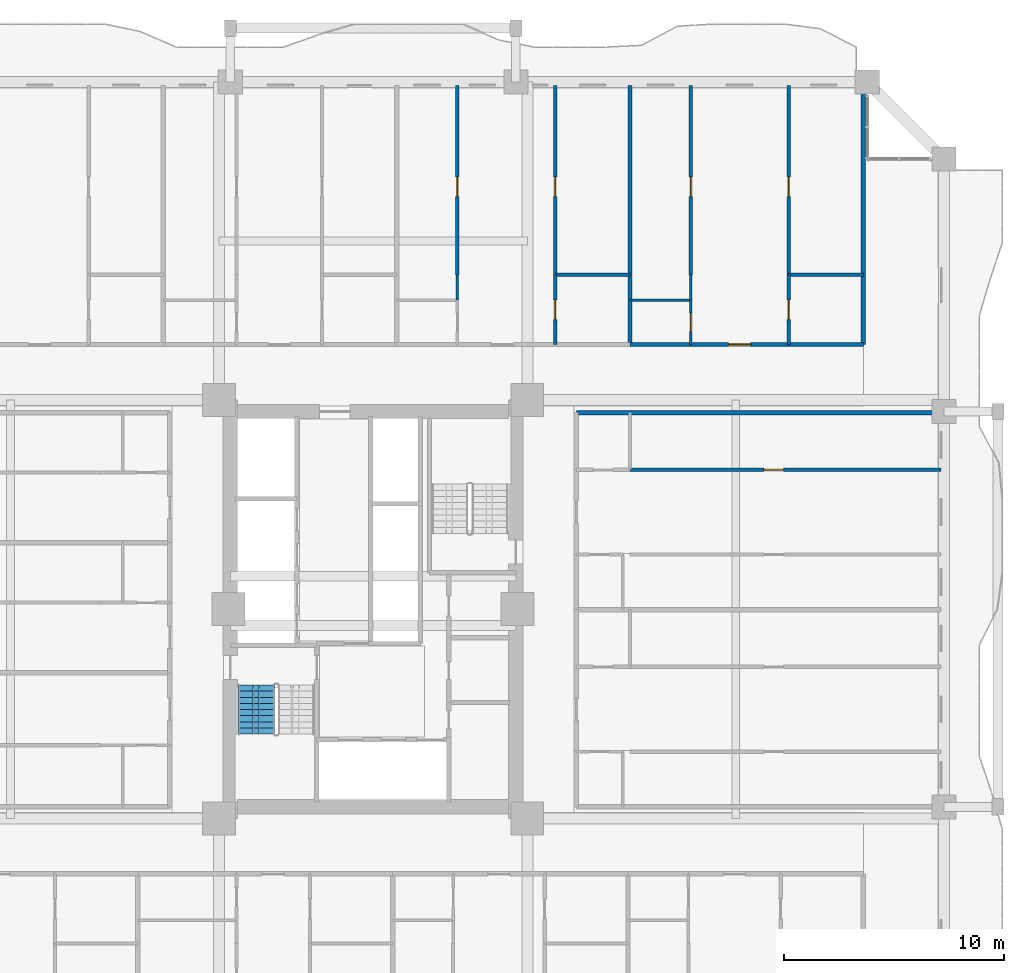
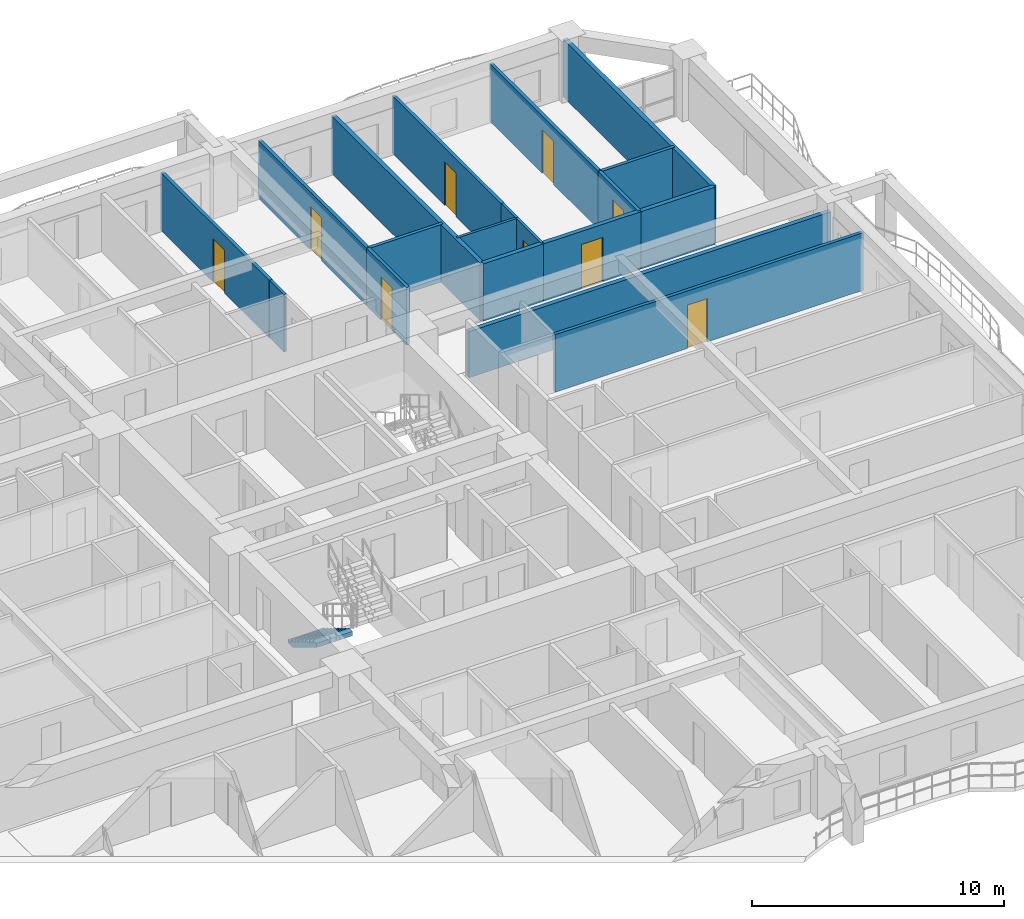
# One storey, part 20 of 27: 19 walls, 9 doors, 1 stair flight, 9 openings, 1 element without a shape of its own.
"""IFC4 building model written with IfcOpenShell, lengths in metres."""

import ifcopenshell
import ifcopenshell.guid

model = None  # the IFC model being written
_history = None  # IfcOwnerHistory: only IFC2X3 demands one
_inside = {}  # id of a spatial element -> (the spatial element, [elements in it])
_under = {}  # id of a project, library or spatial element -> (it, [spatial elements below it])
_declared = {}  # id of a project -> (the project, [libraries it declares])
_typed = {}  # id of a type object -> (the type object, [elements of that type])
_made_of = {}  # id of a material, layer set ... -> (it, [elements and type objects made of it])


def new_model(schema):
    """Start an empty IFC model of exactly this schema.

    Asked for "IFC4X3", IfcOpenShell would pick the latest addendum, in which some entities
    have other attributes; the version numbers below select the first issue.
    IFC2X3 requires an IfcOwnerHistory on every rooted entity: one is made here for all.
    """
    global model, _history
    if schema == "IFC4X3":
        model = ifcopenshell.file(schema_version=(4, 3, 0, 0))
    else:
        model = ifcopenshell.file(schema=schema)
    _inside.clear()
    _under.clear()
    _declared.clear()
    _typed.clear()
    _made_of.clear()
    _history = None
    if model.schema == "IFC2X3":
        org = make("IfcOrganization", Name="unknown")
        user = make(
            "IfcPersonAndOrganization",
            ThePerson=make("IfcPerson", FamilyName="unknown"),
            TheOrganization=org,
        )
        app = make(
            "IfcApplication",
            ApplicationDeveloper=org,
            Version="unknown",
            ApplicationFullName="unknown",
            ApplicationIdentifier="unknown",
        )
        _history = make(
            "IfcOwnerHistory",
            OwningUser=user,
            OwningApplication=app,
            ChangeAction="ADDED",
            CreationDate=0,
        )
    return model


def make(cls, **values):
    """One entity of the class cls with the attributes given. An attribute that is None is left unset."""
    return model.create_entity(
        cls, **{name: value for name, value in values.items() if value is not None}
    )


def rooted(cls, **values):
    """An entity with a GlobalId (a new one), such as an element, a storey or a relation."""
    return make(cls, GlobalId=ifcopenshell.guid.new(), OwnerHistory=_history, **values)


def si_unit(unit_type, name, prefix=None):
    """IfcSIUnit, for example si_unit("LENGTHUNIT", "METRE", prefix="MILLI")."""
    return make("IfcSIUnit", UnitType=unit_type, Prefix=prefix, Name=name)


def assignment(units):
    """IfcUnitAssignment: the units of a project."""
    return None if units is None else make("IfcUnitAssignment", Units=units)


def point(xyz):
    """IfcCartesianPoint."""
    return None if xyz is None else make("IfcCartesianPoint", Coordinates=xyz)


def direction(xyz):
    """IfcDirection."""
    return None if xyz is None else make("IfcDirection", DirectionRatios=xyz)


def frame(location, z_axis=None, x_axis=None):
    """IfcAxis2Placement3D, a coordinate frame: its origin and axes. An axis left out is left unset."""
    return make(
        "IfcAxis2Placement3D",
        Location=point(location),
        Axis=direction(z_axis),
        RefDirection=direction(x_axis),
    )


def frame_2d(location, x_axis=None):
    """IfcAxis2Placement2D, a coordinate frame in the plane: its origin and x axis."""
    return make(
        "IfcAxis2Placement2D", Location=point(location), RefDirection=direction(x_axis)
    )


def origin():
    """The frame at (0, 0, 0) with its axes left unset."""
    return frame((0.0, 0.0, 0.0))


def place(relative_to, where):
    """IfcLocalPlacement: puts the frame where relative to a parent placement (None: the world)."""
    return make(
        "IfcLocalPlacement", PlacementRelTo=relative_to, RelativePlacement=where
    )


def context(
    kind, dimensions, precision=None, world=None, true_north=None, identifier=None
):
    """IfcGeometricRepresentationContext, for example the 3D "Model" context."""
    return make(
        "IfcGeometricRepresentationContext",
        ContextIdentifier=identifier,
        ContextType=kind,
        CoordinateSpaceDimension=dimensions,
        Precision=precision,
        WorldCoordinateSystem=world,
        TrueNorth=true_north,
    )


def subcontext(parent, identifier, kind, view, scale=None):
    """IfcGeometricRepresentationSubContext, for example "Body" below "Model"."""
    return make(
        "IfcGeometricRepresentationSubContext",
        ContextIdentifier=identifier,
        ContextType=kind,
        ParentContext=parent,
        TargetScale=scale,
        TargetView=view,
    )


def project(units=None, contexts=None):
    """IfcProject with its units and contexts."""
    return rooted(
        "IfcProject",
        Name="project",
        RepresentationContexts=contexts,
        UnitsInContext=assignment(units),
    )


def spatial(cls, under=None, at=None, **own):
    """A site, building, storey or space (cls), placed at a placement, below another one or the project."""
    s = rooted(cls, ObjectPlacement=at, **own)
    if under is not None:
        _under.setdefault(under.id(), (under, []))[1].append(s)
    return s


def polyline(points):
    """IfcPolyline through the points."""
    return make("IfcPolyline", Points=[point(p) for p in points])


def profile(cls, at=None, kind="AREA", **sizes):
    """A parametric profile (cls). Its sizes go by their IFC names, for example OverallWidth=200.0."""
    return make(cls, ProfileType=kind, Position=at, **sizes)


def rectangle(**sizes):
    """IfcRectangleProfileDef."""
    return profile("IfcRectangleProfileDef", **sizes)


def outline(outer, holes=None, kind="AREA"):
    """IfcArbitraryClosedProfileDef: a profile drawn as a closed curve; with holes, ...WithVoids."""
    if holes is None:
        return make("IfcArbitraryClosedProfileDef", ProfileType=kind, OuterCurve=outer)
    return make(
        "IfcArbitraryProfileDefWithVoids",
        ProfileType=kind,
        OuterCurve=outer,
        InnerCurves=holes,
    )


def extrude(swept, where, along, depth):
    """IfcExtrudedAreaSolid: the profile swept, set in the frame where, extruded along a direction by depth."""
    return make(
        "IfcExtrudedAreaSolid",
        SweptArea=swept,
        Position=where,
        ExtrudedDirection=direction(along),
        Depth=depth,
    )


def shape(context_of_items, identifier, shape_type, items):
    """IfcShapeRepresentation: the items that make up one representation, for example the "Body"."""
    return make(
        "IfcShapeRepresentation",
        ContextOfItems=context_of_items,
        RepresentationIdentifier=identifier,
        RepresentationType=shape_type,
        Items=items,
    )


def source(mapping_origin, context_of_items, identifier, shape_type, items):
    """IfcRepresentationMap: a shape defined once, which mapped items show again and again."""
    return make(
        "IfcRepresentationMap",
        MappingOrigin=mapping_origin,
        MappedRepresentation=shape(context_of_items, identifier, shape_type, items),
    )


def transform(
    local_origin,
    x_axis=None,
    y_axis=None,
    z_axis=None,
    scale=None,
    scale2=None,
    scale3=None,
    uniform=True,
):
    """IfcCartesianTransformationOperator3D, or its non-uniform kind. x_axis, y_axis, z_axis: its Axis1, 2, 3."""
    if uniform:
        return make(
            "IfcCartesianTransformationOperator3D",
            Axis1=direction(x_axis),
            Axis2=direction(y_axis),
            LocalOrigin=point(local_origin),
            Scale=scale,
            Axis3=direction(z_axis),
        )
    return make(
        "IfcCartesianTransformationOperator3DnonUniform",
        Axis1=direction(x_axis),
        Axis2=direction(y_axis),
        LocalOrigin=point(local_origin),
        Scale=scale,
        Axis3=direction(z_axis),
        Scale2=scale2,
        Scale3=scale3,
    )


def mapped(mapping_source, mapping_target):
    """IfcMappedItem: shows the shape of a source again, moved by a transform."""
    return make(
        "IfcMappedItem", MappingSource=mapping_source, MappingTarget=mapping_target
    )


def material(Name=None, Category=None):
    """IfcMaterial."""
    return make("IfcMaterial", Name=Name, Category=Category)


def layer(
    of_material, thickness, ventilated=None, Name=None, Category=None, Priority=None
):
    """IfcMaterialLayer: one layer of a wall or slab, of a material (None: an air gap)."""
    return make(
        "IfcMaterialLayer",
        Material=of_material,
        LayerThickness=thickness,
        IsVentilated=ventilated,
        Name=Name,
        Category=Category,
        Priority=Priority,
    )


def layer_set(layers, Name=None):
    """IfcMaterialLayerSet."""
    return make("IfcMaterialLayerSet", MaterialLayers=layers, LayerSetName=Name)


def made_of(thing, what):
    """Note that an element or type object is made of a material, layer set ...; save() writes the relation."""
    if what is not None:
        _made_of.setdefault(what.id(), (what, []))[1].append(thing)
    return thing


def type_object(cls, material=None, **own):
    """A type object (cls), such as IfcWallType, which elements share."""
    return made_of(rooted(cls, **own), material)


def element(
    cls,
    number,
    at=None,
    inside=None,
    cuts=None,
    type_object=None,
    material=None,
    context=None,
    identifier="Body",
    shape_type=None,
    held_by="IfcProductDefinitionShape",
    body=None,
    shapes=None,
    **own,
):
    """One element of the class cls, such as IfcWall. Its Tag is "e" and its number.

    at: its placement. inside: the storey or other place that contains it. cuts: it is an
    opening in that element (IfcRelVoidsElement). A single representation is given by context,
    identifier, shape_type and body (its items); several are given by shapes. held_by: the class
    of the entity that holds the representations. save() writes the other relations.
    """
    e = rooted(cls, Tag="e%d" % number, ObjectPlacement=at, **own)
    if body is not None:
        shapes = [shape(context, identifier, shape_type, body)]
    if shapes is not None:
        e.Representation = make(held_by, Representations=shapes)
    if inside is not None:
        _inside.setdefault(inside.id(), (inside, []))[1].append(e)
    if cuts is not None:
        rooted(
            "IfcRelVoidsElement", RelatingBuildingElement=cuts, RelatedOpeningElement=e
        )
    if type_object is not None:
        _typed.setdefault(type_object.id(), (type_object, []))[1].append(e)
    return made_of(e, material)


def fill(opening, filler):
    """IfcRelFillsElement: the door or window that sits in an opening."""
    return rooted(
        "IfcRelFillsElement",
        RelatingOpeningElement=opening,
        RelatedBuildingElement=filler,
    )


def aggregate(whole, parts):
    """IfcRelAggregates: a whole, such as a stair, and the parts it consists of."""
    return rooted("IfcRelAggregates", RelatingObject=whole, RelatedObjects=parts)


def save(model, path):
    """Write the relations noted so far, then the file.

    IfcRelAggregates (storeys below a building ...), IfcRelContainedInSpatialStructure (elements
    in a storey), IfcRelDefinesByType, IfcRelAssociatesMaterial and IfcRelDeclares: one each for
    every whole, place, type object, material and project.
    """
    for whole, parts in _under.values():
        aggregate(whole, parts)
    for where, things in _inside.values():
        rooted(
            "IfcRelContainedInSpatialStructure",
            RelatedElements=things,
            RelatingStructure=where,
        )
    for kind, things in _typed.values():
        rooted("IfcRelDefinesByType", RelatedObjects=things, RelatingType=kind)
    for what, things in _made_of.values():
        rooted("IfcRelAssociatesMaterial", RelatedObjects=things, RelatingMaterial=what)
    for by, libraries in _declared.values():
        rooted("IfcRelDeclares", RelatingContext=by, RelatedDefinitions=libraries)
    model.write(path)


model = new_model("IFC4")

# Units and contexts
model_context = context("Model", 3, precision=1e-05, world=origin(), true_north=direction((0.0, 1.0)))
body_context = subcontext(model_context, "Body", "Model", "MODEL_VIEW")
ifc_project = project(units=[si_unit("LENGTHUNIT", "METRE"), si_unit("AREAUNIT", "SQUARE_METRE"), si_unit("VOLUMEUNIT", "CUBIC_METRE"), si_unit("PLANEANGLEUNIT", "RADIAN"), si_unit("MASSUNIT", "GRAM", prefix="KILO")], contexts=[model_context])

# Site, building, storey
site_placement = place(None, origin())
site = spatial("IfcSite", under=ifc_project, at=site_placement, CompositionType="ELEMENT")
building_placement = place(site_placement, origin())
building = spatial("IfcBuilding", under=site, at=building_placement, Name="Saelheon Loggia Tower", CompositionType="ELEMENT")
storey_placement = place(building_placement, frame((0.0, 0.0, 34.39990234375)))
storey = spatial("IfcBuildingStorey", under=building, at=storey_placement, Name="L10", CompositionType="ELEMENT", Elevation=34.39990234375)

# Wall
ifc_material_1 = material(Name="Lightweight Autoclaved Aerated Concrete Block and Acoustic Gypsum", Category="concrete")
ifc_layer_1 = layer(ifc_material_1, 0.14990234375)
ifc_layer_set_1 = layer_set([ifc_layer_1], Name="Lightweight Autoclaved Aerated Concrete Block and Acoustic Gypsum")
wall_type_1 = type_object("IfcWallType", Name="Wall_Part_150", PredefinedType="PARTITIONING", material=ifc_layer_set_1)
wall_1_placement = place(storey_placement, frame((46.29833984375, 42.219970703125, 0.0), z_axis=(0.0, 0.0, 1.0), x_axis=(1.0, 0.0, 0.0)))
element("IfcWall", 1, at=wall_1_placement, inside=storey, type_object=wall_type_1, Name="L10 N Partition V31", PredefinedType="PARTITIONING", context=body_context, shape_type="SweptSolid", body=[
    extrude(rectangle(XDim=3.399169921875, YDim=0.14990234375, at=frame_2d((1.69970703125, 0.0))), origin(), (0.0, 0.0, 1.0), 2.7900390625),
])

# Wall, opening, door
wall_2_placement = place(storey_placement, frame((41.8369140625, 42.219970703125, 0.0), z_axis=(0.0, 0.0, 1.0), x_axis=(0.0, 1.0, 0.0)))
wall_2 = element("IfcWall", 2, at=wall_2_placement, inside=storey, type_object=wall_type_1, Name="L10 N Partition U34", PredefinedType="PARTITIONING", context=body_context, shape_type="SweptSolid", body=[
    extrude(rectangle(XDim=8.630126953125, YDim=0.14990234375, at=frame_2d((4.31494140625, 0.0))), origin(), (0.0, 0.0, 1.0), 2.7900390625),
])
opening_1_placement = place(wall_2_placement, frame((3.56298828125, 0.0, 0.0)))
opening_1 = element("IfcOpeningElement", 3, at=opening_1_placement, cuts=wall_2, Name="Opening D-IN2", PredefinedType="OPENING", context=body_context, shape_type="SweptSolid", body=[
    extrude(rectangle(XDim=0.89990234375, YDim=2.10009765625, at=frame_2d((0.449951171875, 1.050048828125))), frame((0.0, 0.0869140625, 0.0), z_axis=(0.0, -1.0, 0.0), x_axis=(1.0, 0.0, 0.0)), (0.0, 0.0, 1.0), 0.173828125),
])
ifc_material_2 = material(Name="Engineered Oak Flush Door", Category="timber")
door_type_1 = type_object("IfcDoorType", Name="Door_Int_900", OperationType="NOTDEFINED", PredefinedType="DOOR", material=ifc_material_2)
shared_shape_1 = source(origin(), body_context, "Body", "SweptSolid", [
    extrude(rectangle(XDim=0.89990234375, YDim=2.10009765625, at=frame_2d((0.449951171875, 1.050048828125))), frame((0.0, 0.02490234375, 0.0), z_axis=(0.0, -1.0, 0.0), x_axis=(1.0, 0.0, 0.0)), (0.0, 0.0, 1.0), 0.050048828125),
])
door_1_placement = place(opening_1_placement, origin())
door_1 = element("IfcDoor", 4, at=door_1_placement, inside=storey, type_object=door_type_1, Name="Unit U07 Bedroom 2 Door", OperationType="SINGLE_SWING_LEFT", OverallHeight=2.10009765625, OverallWidth=0.89990234375, PredefinedType="DOOR", context=body_context, shape_type="MappedRepresentation", body=[
    mapped(shared_shape_1, transform((0.0, 0.0, 0.0), scale=1.0)),
])
fill(opening_1, door_1)

wall_3_placement = place(storey_placement, frame((46.29833984375, 39.050048828125, 0.0), z_axis=(0.0, 0.0, 1.0), x_axis=(0.0, 1.0, 0.0)))
wall_3 = element("IfcWall", 5, at=wall_3_placement, inside=storey, type_object=wall_type_1, Name="L10 N Partition U35", PredefinedType="PARTITIONING", context=body_context, shape_type="SweptSolid", body=[
    extrude(rectangle(XDim=3.169921875, YDim=0.14990234375, at=frame_2d((1.5849609375, 0.0))), origin(), (0.0, 0.0, 1.0), 2.7900390625),
])
opening_2_placement = place(wall_3_placement, frame((1.135009765625, 0.0, 0.0)))
opening_2 = element("IfcOpeningElement", 6, at=opening_2_placement, cuts=wall_3, Name="Opening D-IN2", PredefinedType="OPENING", context=body_context, shape_type="SweptSolid", body=[
    extrude(rectangle(XDim=0.89990234375, YDim=2.10009765625, at=frame_2d((0.449951171875, 1.050048828125))), frame((0.0, 0.0869140625, 0.0), z_axis=(0.0, -1.0, 0.0), x_axis=(1.0, 0.0, 0.0)), (0.0, 0.0, 1.0), 0.173828125),
])
door_2_placement = place(opening_2_placement, origin())
door_2 = element("IfcDoor", 7, at=door_2_placement, inside=storey, type_object=door_type_1, Name="Unit U07 Kitchen Door", OperationType="SINGLE_SWING_RIGHT", OverallHeight=2.10009765625, OverallWidth=0.89990234375, PredefinedType="DOOR", context=body_context, shape_type="MappedRepresentation", body=[
    mapped(shared_shape_1, transform((0.0, 0.0, 0.0), scale=1.0)),
])
fill(opening_2, door_2)

wall_4_placement = place(storey_placement, frame((46.29833984375, 42.219970703125, 0.0), z_axis=(0.0, 0.0, 1.0), x_axis=(0.0, 1.0, 0.0)))
wall_4 = element("IfcWall", 8, at=wall_4_placement, inside=storey, type_object=wall_type_1, Name="L10 N Partition U36", PredefinedType="PARTITIONING", context=body_context, shape_type="SweptSolid", body=[
    extrude(rectangle(XDim=8.630126953125, YDim=0.14990234375, at=frame_2d((4.31494140625, 0.0))), origin(), (0.0, 0.0, 1.0), 2.7900390625),
])
opening_3_placement = place(wall_4_placement, frame((3.56298828125, 0.0, 0.0)))
opening_3 = element("IfcOpeningElement", 9, at=opening_3_placement, cuts=wall_4, Name="Opening D-IN2", PredefinedType="OPENING", context=body_context, shape_type="SweptSolid", body=[
    extrude(rectangle(XDim=0.89990234375, YDim=2.10009765625, at=frame_2d((0.449951171875, 1.050048828125))), frame((0.0, 0.0869140625, 0.0), z_axis=(0.0, -1.0, 0.0), x_axis=(1.0, 0.0, 0.0)), (0.0, 0.0, 1.0), 0.173828125),
])
door_3_placement = place(opening_3_placement, origin())
door_3 = element("IfcDoor", 10, at=door_3_placement, inside=storey, type_object=door_type_1, Name="Unit U07 Bedroom 1 Door", OperationType="SINGLE_SWING_LEFT", OverallHeight=2.10009765625, OverallWidth=0.89990234375, PredefinedType="DOOR", context=body_context, shape_type="MappedRepresentation", body=[
    mapped(shared_shape_1, transform((0.0, 0.0, 0.0), scale=1.0)),
])
fill(opening_3, door_3)

# Wall
wall_5_placement = place(storey_placement, frame((56.9208984375, 42.219970703125, 0.0), z_axis=(0.0, 0.0, 1.0), x_axis=(1.0, 0.0, 0.0)))
element("IfcWall", 11, at=wall_5_placement, inside=storey, type_object=wall_type_1, Name="L10 N Partition V42", PredefinedType="PARTITIONING", context=body_context, shape_type="SweptSolid", body=[
    extrude(rectangle(XDim=3.399169921875, YDim=0.14990234375, at=frame_2d((1.69970703125, 0.0))), origin(), (0.0, 0.0, 1.0), 2.7900390625),
])

# Wall, opening, door
wall_6_placement = place(storey_placement, frame((52.45947265625, 42.219970703125, 0.0), z_axis=(0.0, 0.0, 1.0), x_axis=(0.0, 1.0, 0.0)))
wall_6 = element("IfcWall", 12, at=wall_6_placement, inside=storey, type_object=wall_type_1, Name="L10 N Partition U45", PredefinedType="PARTITIONING", context=body_context, shape_type="SweptSolid", body=[
    extrude(rectangle(XDim=8.630126953125, YDim=0.14990234375, at=frame_2d((4.31494140625, 0.0))), origin(), (0.0, 0.0, 1.0), 2.7900390625),
])
opening_4_placement = place(wall_6_placement, frame((3.56298828125, 0.0, 0.0)))
opening_4 = element("IfcOpeningElement", 13, at=opening_4_placement, cuts=wall_6, Name="Opening D-IN2", PredefinedType="OPENING", context=body_context, shape_type="SweptSolid", body=[
    extrude(rectangle(XDim=0.89990234375, YDim=2.10009765625, at=frame_2d((0.449951171875, 1.050048828125))), frame((0.0, 0.0869140625, 0.0), z_axis=(0.0, -1.0, 0.0), x_axis=(1.0, 0.0, 0.0)), (0.0, 0.0, 1.0), 0.173828125),
])
door_4_placement = place(opening_4_placement, origin())
door_4 = element("IfcDoor", 14, at=door_4_placement, inside=storey, type_object=door_type_1, Name="Unit U08 Bedroom 2 Door", OperationType="SINGLE_SWING_RIGHT", OverallHeight=2.10009765625, OverallWidth=0.89990234375, PredefinedType="DOOR", context=body_context, shape_type="MappedRepresentation", body=[
    mapped(shared_shape_1, transform((0.0, 0.0, 0.0), scale=1.0)),
])
fill(opening_4, door_4)

wall_7_placement = place(storey_placement, frame((56.9208984375, 39.050048828125, 0.0), z_axis=(0.0, 0.0, 1.0), x_axis=(0.0, 1.0, 0.0)))
wall_7 = element("IfcWall", 15, at=wall_7_placement, inside=storey, type_object=wall_type_1, Name="L10 N Partition U46", PredefinedType="PARTITIONING", context=body_context, shape_type="SweptSolid", body=[
    extrude(rectangle(XDim=3.169921875, YDim=0.14990234375, at=frame_2d((1.5849609375, 0.0))), origin(), (0.0, 0.0, 1.0), 2.7900390625),
])
opening_5_placement = place(wall_7_placement, frame((1.135009765625, 0.0, 0.0)))
opening_5 = element("IfcOpeningElement", 16, at=opening_5_placement, cuts=wall_7, Name="Opening D-IN2", PredefinedType="OPENING", context=body_context, shape_type="SweptSolid", body=[
    extrude(rectangle(XDim=0.89990234375, YDim=2.10009765625, at=frame_2d((0.449951171875, 1.050048828125))), frame((0.0, 0.0869140625, 0.0), z_axis=(0.0, -1.0, 0.0), x_axis=(1.0, 0.0, 0.0)), (0.0, 0.0, 1.0), 0.173828125),
])
door_5_placement = place(opening_5_placement, origin())
door_5 = element("IfcDoor", 17, at=door_5_placement, inside=storey, type_object=door_type_1, Name="Unit U08 Kitchen Door", OperationType="SINGLE_SWING_LEFT", OverallHeight=2.10009765625, OverallWidth=0.89990234375, PredefinedType="DOOR", context=body_context, shape_type="MappedRepresentation", body=[
    mapped(shared_shape_1, transform((0.0, 0.0, 0.0), scale=1.0)),
])
fill(opening_5, door_5)

wall_8_placement = place(storey_placement, frame((56.9208984375, 42.219970703125, 0.0), z_axis=(0.0, 0.0, 1.0), x_axis=(0.0, 1.0, 0.0)))
wall_8 = element("IfcWall", 18, at=wall_8_placement, inside=storey, type_object=wall_type_1, Name="L10 N Partition U47", PredefinedType="PARTITIONING", context=body_context, shape_type="SweptSolid", body=[
    extrude(rectangle(XDim=8.630126953125, YDim=0.14990234375, at=frame_2d((4.31494140625, 0.0))), origin(), (0.0, 0.0, 1.0), 2.7900390625),
])
opening_6_placement = place(wall_8_placement, frame((3.56298828125, 0.0, 0.0)))
opening_6 = element("IfcOpeningElement", 19, at=opening_6_placement, cuts=wall_8, Name="Opening D-IN2", PredefinedType="OPENING", context=body_context, shape_type="SweptSolid", body=[
    extrude(rectangle(XDim=0.89990234375, YDim=2.10009765625, at=frame_2d((0.449951171875, 1.050048828125))), frame((0.0, 0.0869140625, 0.0), z_axis=(0.0, -1.0, 0.0), x_axis=(1.0, 0.0, 0.0)), (0.0, 0.0, 1.0), 0.173828125),
])
door_6_placement = place(opening_6_placement, origin())
door_6 = element("IfcDoor", 20, at=door_6_placement, inside=storey, type_object=door_type_1, Name="Unit U08 Bedroom 1 Door", OperationType="SINGLE_SWING_RIGHT", OverallHeight=2.10009765625, OverallWidth=0.89990234375, PredefinedType="DOOR", context=body_context, shape_type="MappedRepresentation", body=[
    mapped(shared_shape_1, transform((0.0, 0.0, 0.0), scale=1.0)),
])
fill(opening_6, door_6)

wall_9_placement = place(storey_placement, frame((49.699951171875, 33.35009765625, 0.0), z_axis=(0.0, 0.0, 1.0), x_axis=(1.0, 0.0, 0.0)))
wall_9 = element("IfcWall", 21, at=wall_9_placement, inside=storey, type_object=wall_type_1, Name="L10 E Partition U21", PredefinedType="PARTITIONING", context=body_context, shape_type="SweptSolid", body=[
    extrude(rectangle(XDim=14.150146484375, YDim=0.14990234375, at=frame_2d((7.0751953125, 0.0))), origin(), (0.0, 0.0, 1.0), 2.7900390625),
])
opening_7_placement = place(wall_9_placement, frame((6.093017578125, 0.0, 0.0)))
opening_7 = element("IfcOpeningElement", 22, at=opening_7_placement, cuts=wall_9, Name="Opening D-IN2", PredefinedType="OPENING", context=body_context, shape_type="SweptSolid", body=[
    extrude(rectangle(XDim=0.89990234375, YDim=2.10009765625, at=frame_2d((0.449951171875, 1.050048828125))), frame((0.0, 0.0869140625, 0.0), z_axis=(0.0, -1.0, 0.0), x_axis=(1.0, 0.0, 0.0)), (0.0, 0.0, 1.0), 0.173828125),
])
door_7_placement = place(opening_7_placement, origin())
door_7 = element("IfcDoor", 23, at=door_7_placement, inside=storey, type_object=door_type_1, Name="Unit U13 Bedroom 1 Door", OperationType="SINGLE_SWING_LEFT", OverallHeight=2.10009765625, OverallWidth=0.89990234375, PredefinedType="DOOR", context=body_context, shape_type="MappedRepresentation", body=[
    mapped(shared_shape_1, transform((0.0, 0.0, 0.0), scale=1.0)),
])
fill(opening_7, door_7)

# Walls
ifc_material_3 = material(Name="Double Acoustic Stud and Fireboard Partition", Category="gypsum")
ifc_layer_2 = layer(ifc_material_3, 0.199951171875)
ifc_layer_set_2 = layer_set([ifc_layer_2], Name="Double Acoustic Stud and Fireboard Partition")
wall_type_2 = type_object("IfcWallType", Name="Wall_Party_200", PredefinedType="PARTITIONING", material=ifc_layer_set_2)
for number, where, z_axis, x_axis, name in (
    (24, (60.320068359375, 39.050048828125, 0.0), (0.0, 0.0, 1.0), (0.0, 1.0, 0.0), "L10 N Partition U02"),
    (25, (49.697509765625, 39.050048828125, 0.0), (0.0, 0.0, 1.0), (0.0, 1.0, 0.0), "L10 N Partition U37"),
):
    element("IfcWall", number, at=place(storey_placement, frame(where, z_axis=z_axis, x_axis=x_axis)), inside=storey, type_object=wall_type_2, Name=name, PredefinedType="PARTITIONING", context=body_context, shape_type="SweptSolid", body=[
        extrude(rectangle(XDim=11.800048828125, YDim=0.199951171875, at=frame_2d((5.89990234375, 0.0))), origin(), (0.0, 0.0, 1.0), 2.7900390625),
    ])
wall_10_placement = place(storey_placement, frame((49.697509765625, 39.050048828125, 0.0), z_axis=(0.0, 0.0, 1.0), x_axis=(1.0, 0.0, 0.0)))
element("IfcWall", 26, at=wall_10_placement, inside=storey, type_object=wall_type_2, Name="L10 N Partition V38", PredefinedType="PARTITIONING", context=body_context, shape_type="SweptSolid", body=[
    extrude(rectangle(XDim=2.761962890625, YDim=0.199951171875, at=frame_2d((1.380859375, 0.0))), origin(), (0.0, 0.0, 1.0), 2.7900390625),
])

# Wall, opening, door
wall_11_placement = place(storey_placement, frame((52.45947265625, 39.050048828125, 0.0), z_axis=(0.0, 0.0, 1.0), x_axis=(1.0, 0.0, 0.0)))
wall_11 = element("IfcWall", 27, at=wall_11_placement, inside=storey, type_object=wall_type_2, Name="L10 N Partition V39", PredefinedType="PARTITIONING", context=body_context, shape_type="SweptSolid", body=[
    extrude(rectangle(XDim=4.46142578125, YDim=0.199951171875, at=frame_2d((2.230712890625, 0.0))), origin(), (0.0, 0.0, 1.0), 2.7900390625),
])
opening_8_placement = place(wall_11_placement, frame((1.730712890625, 0.0, 0.0)))
opening_8 = element("IfcOpeningElement", 28, at=opening_8_placement, cuts=wall_11, Name="Opening D-FD1", PredefinedType="OPENING", context=body_context, shape_type="SweptSolid", body=[
    extrude(rectangle(XDim=1.0, YDim=2.14990234375, at=frame_2d((0.5, 1.074951171875))), frame((0.0, 0.112060546875, 0.0), z_axis=(0.0, -1.0, 0.0), x_axis=(1.0, 0.0, 0.0)), (0.0, 0.0, 1.0), 0.223876953125),
])
ifc_material_4 = material(Name="Fire-Rated Engineered Timber Entrance Door", Category="wood")
door_type_2 = type_object("IfcDoorType", Name="Door_Flat_FD30S", OperationType="NOTDEFINED", PredefinedType="DOOR", material=ifc_material_4)
shared_shape_2 = source(origin(), body_context, "Body", "SweptSolid", [
    extrude(rectangle(XDim=1.0, YDim=2.14990234375, at=frame_2d((0.5, 1.074951171875))), frame((0.0, 0.02490234375, 0.0), z_axis=(0.0, -1.0, 0.0), x_axis=(1.0, 0.0, 0.0)), (0.0, 0.0, 1.0), 0.050048828125),
])
door_8_placement = place(opening_8_placement, origin())
door_8 = element("IfcDoor", 29, at=door_8_placement, inside=storey, type_object=door_type_2, Name="Unit U08 Entrance Door", OperationType="SINGLE_SWING_RIGHT", OverallHeight=2.14990234375, OverallWidth=1.0, PredefinedType="DOOR", context=body_context, shape_type="MappedRepresentation", body=[
    mapped(shared_shape_2, transform((0.0, 0.0, 0.0), scale=1.0)),
])
fill(opening_8, door_8)

# Walls
wall_12_placement = place(storey_placement, frame((56.9208984375, 39.050048828125, 0.0), z_axis=(0.0, 0.0, 1.0), x_axis=(1.0, 0.0, 0.0)))
element("IfcWall", 30, at=wall_12_placement, inside=storey, type_object=wall_type_2, Name="L10 N Partition V40", PredefinedType="PARTITIONING", context=body_context, shape_type="SweptSolid", body=[
    extrude(rectangle(XDim=3.399169921875, YDim=0.199951171875, at=frame_2d((1.69970703125, 0.0))), origin(), (0.0, 0.0, 1.0), 2.7900390625),
])
wall_13_placement = place(storey_placement, frame((47.25, 35.949951171875, 0.0), z_axis=(0.0, 0.0, 1.0), x_axis=(1.0, 0.0, 0.0)))
element("IfcWall", 31, at=wall_13_placement, inside=storey, type_object=wall_type_2, Name="L10 E Partition U02", PredefinedType="PARTITIONING", context=body_context, shape_type="SweptSolid", body=[
    extrude(rectangle(XDim=16.60009765625, YDim=0.199951171875, at=frame_2d((8.300048828125, 0.0))), origin(), (0.0, 0.0, 1.0), 2.239990234375),
])
ifc_material_5 = material(Name="Moisture-Resistant Cement Board Partition", Category="gypsum")
ifc_layer_3 = layer(ifc_material_5, 0.1201171875)
ifc_layer_set_3 = layer_set([ifc_layer_3], Name="Moisture-Resistant Cement Board Partition")
wall_type_3 = type_object("IfcWallType", Name="Wall_WetPart_120", PredefinedType="PARTITIONING", material=ifc_layer_set_3)
wall_14_placement = place(storey_placement, frame((41.8369140625, 41.070068359375, 0.0), z_axis=(0.0, 0.0, 1.0), x_axis=(0.0, 1.0, 0.0)))
element("IfcWall", 32, at=wall_14_placement, inside=storey, type_object=wall_type_3, Name="L10 N Partition U33", PredefinedType="PARTITIONING", context=body_context, shape_type="SweptSolid", body=[
    extrude(rectangle(XDim=1.14990234375, YDim=0.1201171875, at=frame_2d((0.574951171875, 0.0))), origin(), (0.0, 0.0, 1.0), 2.7900390625),
])
wall_15_placement = place(storey_placement, frame((49.697509765625, 41.070068359375, 0.0), z_axis=(0.0, 0.0, 1.0), x_axis=(1.0, 0.0, 0.0)))
element("IfcWall", 33, at=wall_15_placement, inside=storey, type_object=wall_type_3, Name="L10 N Partition V41", PredefinedType="PARTITIONING", context=body_context, shape_type="SweptSolid", body=[
    extrude(rectangle(XDim=2.761962890625, YDim=0.1201171875, at=frame_2d((1.380859375, 0.0))), origin(), (0.0, 0.0, 1.0), 2.7900390625),
])

# Wall, opening, door
wall_16_placement = place(storey_placement, frame((52.45947265625, 39.050048828125, 0.0), z_axis=(0.0, 0.0, 1.0), x_axis=(0.0, 1.0, 0.0)))
wall_16 = element("IfcWall", 34, at=wall_16_placement, inside=storey, type_object=wall_type_3, Name="L10 N Partition U43", PredefinedType="PARTITIONING", context=body_context, shape_type="SweptSolid", body=[
    extrude(rectangle(XDim=2.02001953125, YDim=0.1201171875, at=frame_2d((1.010009765625, 0.0))), origin(), (0.0, 0.0, 1.0), 2.7900390625),
])
opening_9_placement = place(wall_16_placement, frame((0.5849609375, 0.0, 0.0)))
opening_9 = element("IfcOpeningElement", 35, at=opening_9_placement, cuts=wall_16, Name="Opening D-BT1", PredefinedType="OPENING", context=body_context, shape_type="SweptSolid", body=[
    extrude(rectangle(XDim=0.85009765625, YDim=2.050048828125, at=frame_2d((0.425048828125, 1.02490234375))), frame((0.0, 0.072021484375, 0.0), z_axis=(0.0, -1.0, 0.0), x_axis=(1.0, 0.0, 0.0)), (0.0, 0.0, 1.0), 0.14404296875),
])
ifc_material_6 = material(Name="Moisture-Resistant Laminate Timber Door", Category="wood")
door_type_3 = type_object("IfcDoorType", Name="Door_Bath_850", OperationType="NOTDEFINED", PredefinedType="DOOR", material=ifc_material_6)
shared_shape_3 = source(origin(), body_context, "Body", "SweptSolid", [
    extrude(rectangle(XDim=0.85009765625, YDim=2.050048828125, at=frame_2d((0.425048828125, 1.02490234375))), frame((0.0, 0.02490234375, 0.0), z_axis=(0.0, -1.0, 0.0), x_axis=(1.0, 0.0, 0.0)), (0.0, 0.0, 1.0), 0.050048828125),
])
door_9_placement = place(opening_9_placement, origin())
door_9 = element("IfcDoor", 36, at=door_9_placement, inside=storey, type_object=door_type_3, Name="Unit U08 Bathroom Door", OperationType="SINGLE_SWING_LEFT", OverallHeight=2.050048828125, OverallWidth=0.85009765625, PredefinedType="DOOR", context=body_context, shape_type="MappedRepresentation", body=[
    mapped(shared_shape_3, transform((0.0, 0.0, 0.0), scale=1.0)),
])
fill(opening_9, door_9)

# Wall
wall_17_placement = place(storey_placement, frame((52.45947265625, 41.070068359375, 0.0), z_axis=(0.0, 0.0, 1.0), x_axis=(0.0, 1.0, 0.0)))
element("IfcWall", 37, at=wall_17_placement, inside=storey, type_object=wall_type_3, Name="L10 N Partition U44", PredefinedType="PARTITIONING", context=body_context, shape_type="SweptSolid", body=[
    extrude(rectangle(XDim=1.14990234375, YDim=0.1201171875, at=frame_2d((0.574951171875, 0.0))), origin(), (0.0, 0.0, 1.0), 2.7900390625),
])

# Stair, stair flight
ifc_material_7 = material(Name="Concrete C40/50", Category="concrete")
stair_type = type_object("IfcStairType", Name="Stair_Escape_Core", PredefinedType="HALF_TURN_STAIR", material=ifc_material_7)
stair_placement = place(storey_placement, origin())
stair = element("IfcStair", 38, at=stair_placement, inside=storey, type_object=stair_type, Name="L10 Special Escape Stair ST1", PredefinedType="HALF_TURN_STAIR")
stair_flight_type = type_object("IfcStairFlightType", Name="StairFlight_Tower_1660", PredefinedType="STRAIGHT", material=ifc_material_7)
stair_flight_placement = place(storey_placement, frame((32.679931640625, 23.550048828125, 0.0), z_axis=(0.0, 0.0, 1.0), x_axis=(0.0, -1.0, 0.0)))
stair_flight = element("IfcStairFlight", 39, at=stair_flight_placement, type_object=stair_flight_type, Name="ST1 flight 1", NumberOfRisers=9, NumberOfTreads=8, PredefinedType="STRAIGHT", RiserHeight=0.166666667, TreadLength=0.28, context=body_context, shape_type="SweptSolid", body=[
    extrude(outline(polyline([(0.0, 0.0), (0.0, 0.166748046875), (0.280029296875, 0.166748046875), (0.280029296875, 0.333251953125), (0.56005859375, 0.333251953125), (0.56005859375, 0.5), (0.840087890625, 0.5), (0.840087890625, 0.666748046875), (1.1201171875, 0.666748046875), (1.1201171875, 0.833251953125), (1.39990234375, 0.833251953125), (1.39990234375, 1.0), (1.679931640625, 1.0), (1.679931640625, 1.166748046875), (1.9599609375, 1.166748046875), (1.9599609375, 1.333251953125), (2.239990234375, 1.333251953125), (2.239990234375, 1.5), (2.239990234375, 1.1240234375), (0.351806640625, 0.0), (0.0, 0.0)])), frame((0.0, -0.2490234375, 0.0), z_axis=(0.0, -1.0, 0.0), x_axis=(1.0, 0.0, 0.0)), (0.0, 0.0, 1.0), 0.5810546875),
    extrude(outline(polyline([(0.0, 0.0), (0.0, 0.166748046875), (0.280029296875, 0.166748046875), (0.280029296875, 0.333251953125), (0.56005859375, 0.333251953125), (0.56005859375, 0.5), (0.840087890625, 0.5), (0.840087890625, 0.666748046875), (1.1201171875, 0.666748046875), (1.1201171875, 0.833251953125), (1.39990234375, 0.833251953125), (1.39990234375, 1.0), (1.679931640625, 1.0), (1.679931640625, 1.166748046875), (1.9599609375, 1.166748046875), (1.9599609375, 1.333251953125), (2.239990234375, 1.333251953125), (2.239990234375, 1.5), (2.239990234375, 1.1240234375), (0.351806640625, 0.0), (0.0, 0.0)])), frame((0.0, -0.194091796875, 0.0), z_axis=(0.0, -1.0, 0.0), x_axis=(1.0, 0.0, 0.0)), (0.0, 0.0, 1.0), 0.0498046875),
    extrude(outline(polyline([(0.0, 0.0), (0.0, 0.166748046875), (0.280029296875, 0.166748046875), (0.280029296875, 0.333251953125), (0.56005859375, 0.333251953125), (0.56005859375, 0.5), (0.840087890625, 0.5), (0.840087890625, 0.666748046875), (1.1201171875, 0.666748046875), (1.1201171875, 0.833251953125), (1.39990234375, 0.833251953125), (1.39990234375, 1.0), (1.679931640625, 1.0), (1.679931640625, 1.166748046875), (1.9599609375, 1.166748046875), (1.9599609375, 1.333251953125), (2.239990234375, 1.333251953125), (2.239990234375, 1.5), (2.239990234375, 1.1240234375), (0.351806640625, 0.0), (0.0, 0.0)])), frame((0.0, -0.139404296875, 0.0), z_axis=(0.0, -1.0, 0.0), x_axis=(1.0, 0.0, 0.0)), (0.0, 0.0, 1.0), 0.0498046875),
    extrude(outline(polyline([(0.0, 0.0), (0.0, 0.166748046875), (0.280029296875, 0.166748046875), (0.280029296875, 0.333251953125), (0.56005859375, 0.333251953125), (0.56005859375, 0.5), (0.840087890625, 0.5), (0.840087890625, 0.666748046875), (1.1201171875, 0.666748046875), (1.1201171875, 0.833251953125), (1.39990234375, 0.833251953125), (1.39990234375, 1.0), (1.679931640625, 1.0), (1.679931640625, 1.166748046875), (1.9599609375, 1.166748046875), (1.9599609375, 1.333251953125), (2.239990234375, 1.333251953125), (2.239990234375, 1.5), (2.239990234375, 1.1240234375), (0.351806640625, 0.0), (0.0, 0.0)])), frame((0.0, -0.084716796875, 0.0), z_axis=(0.0, -1.0, 0.0), x_axis=(1.0, 0.0, 0.0)), (0.0, 0.0, 1.0), 0.0498046875),
    extrude(outline(polyline([(0.0, 0.0), (0.0, 0.166748046875), (0.280029296875, 0.166748046875), (0.280029296875, 0.333251953125), (0.56005859375, 0.333251953125), (0.56005859375, 0.5), (0.840087890625, 0.5), (0.840087890625, 0.666748046875), (1.1201171875, 0.666748046875), (1.1201171875, 0.833251953125), (1.39990234375, 0.833251953125), (1.39990234375, 1.0), (1.679931640625, 1.0), (1.679931640625, 1.166748046875), (1.9599609375, 1.166748046875), (1.9599609375, 1.333251953125), (2.239990234375, 1.333251953125), (2.239990234375, 1.5), (2.239990234375, 1.1240234375), (0.351806640625, 0.0), (0.0, 0.0)])), frame((0.0, -0.02978515625, 0.0), z_axis=(0.0, -1.0, 0.0), x_axis=(1.0, 0.0, 0.0)), (0.0, 0.0, 1.0), 0.0498046875),
    extrude(outline(polyline([(0.0, 0.0), (0.0, 0.166748046875), (0.280029296875, 0.166748046875), (0.280029296875, 0.333251953125), (0.56005859375, 0.333251953125), (0.56005859375, 0.5), (0.840087890625, 0.5), (0.840087890625, 0.666748046875), (1.1201171875, 0.666748046875), (1.1201171875, 0.833251953125), (1.39990234375, 0.833251953125), (1.39990234375, 1.0), (1.679931640625, 1.0), (1.679931640625, 1.166748046875), (1.9599609375, 1.166748046875), (1.9599609375, 1.333251953125), (2.239990234375, 1.333251953125), (2.239990234375, 1.5), (2.239990234375, 1.1240234375), (0.351806640625, 0.0), (0.0, 0.0)])), frame((0.0, 0.02490234375, 0.0), z_axis=(0.0, -1.0, 0.0), x_axis=(1.0, 0.0, 0.0)), (0.0, 0.0, 1.0), 0.0498046875),
    extrude(outline(polyline([(0.0, 0.0), (0.0, 0.166748046875), (0.280029296875, 0.166748046875), (0.280029296875, 0.333251953125), (0.56005859375, 0.333251953125), (0.56005859375, 0.5), (0.840087890625, 0.5), (0.840087890625, 0.666748046875), (1.1201171875, 0.666748046875), (1.1201171875, 0.833251953125), (1.39990234375, 0.833251953125), (1.39990234375, 1.0), (1.679931640625, 1.0), (1.679931640625, 1.166748046875), (1.9599609375, 1.166748046875), (1.9599609375, 1.333251953125), (2.239990234375, 1.333251953125), (2.239990234375, 1.5), (2.239990234375, 1.1240234375), (0.351806640625, 0.0), (0.0, 0.0)])), frame((0.0, 0.07958984375, 0.0), z_axis=(0.0, -1.0, 0.0), x_axis=(1.0, 0.0, 0.0)), (0.0, 0.0, 1.0), 0.0498046875),
    extrude(outline(polyline([(0.0, 0.0), (0.0, 0.166748046875), (0.280029296875, 0.166748046875), (0.280029296875, 0.333251953125), (0.56005859375, 0.333251953125), (0.56005859375, 0.5), (0.840087890625, 0.5), (0.840087890625, 0.666748046875), (1.1201171875, 0.666748046875), (1.1201171875, 0.833251953125), (1.39990234375, 0.833251953125), (1.39990234375, 1.0), (1.679931640625, 1.0), (1.679931640625, 1.166748046875), (1.9599609375, 1.166748046875), (1.9599609375, 1.333251953125), (2.239990234375, 1.333251953125), (2.239990234375, 1.5), (2.239990234375, 1.1240234375), (0.351806640625, 0.0), (0.0, 0.0)])), frame((0.0, 0.134521484375, 0.0), z_axis=(0.0, -1.0, 0.0), x_axis=(1.0, 0.0, 0.0)), (0.0, 0.0, 1.0), 0.0498046875),
    extrude(outline(polyline([(0.0, 0.0), (0.0, 0.166748046875), (0.280029296875, 0.166748046875), (0.280029296875, 0.333251953125), (0.56005859375, 0.333251953125), (0.56005859375, 0.5), (0.840087890625, 0.5), (0.840087890625, 0.666748046875), (1.1201171875, 0.666748046875), (1.1201171875, 0.833251953125), (1.39990234375, 0.833251953125), (1.39990234375, 1.0), (1.679931640625, 1.0), (1.679931640625, 1.166748046875), (1.9599609375, 1.166748046875), (1.9599609375, 1.333251953125), (2.239990234375, 1.333251953125), (2.239990234375, 1.5), (2.239990234375, 1.1240234375), (0.351806640625, 0.0), (0.0, 0.0)])), frame((0.0, 0.189208984375, 0.0), z_axis=(0.0, -1.0, 0.0), x_axis=(1.0, 0.0, 0.0)), (0.0, 0.0, 1.0), 0.0498046875),
    extrude(outline(polyline([(0.0, 0.0), (0.0, 0.166748046875), (0.280029296875, 0.166748046875), (0.280029296875, 0.333251953125), (0.56005859375, 0.333251953125), (0.56005859375, 0.5), (0.840087890625, 0.5), (0.840087890625, 0.666748046875), (1.1201171875, 0.666748046875), (1.1201171875, 0.833251953125), (1.39990234375, 0.833251953125), (1.39990234375, 1.0), (1.679931640625, 1.0), (1.679931640625, 1.166748046875), (1.9599609375, 1.166748046875), (1.9599609375, 1.333251953125), (2.239990234375, 1.333251953125), (2.239990234375, 1.5), (2.239990234375, 1.1240234375), (0.351806640625, 0.0), (0.0, 0.0)])), frame((0.0, 0.243896484375, 0.0), z_axis=(0.0, -1.0, 0.0), x_axis=(1.0, 0.0, 0.0)), (0.0, 0.0, 1.0), 0.0498046875),
    extrude(outline(polyline([(0.0, 0.0), (0.0, 0.166748046875), (0.280029296875, 0.166748046875), (0.280029296875, 0.333251953125), (0.56005859375, 0.333251953125), (0.56005859375, 0.5), (0.840087890625, 0.5), (0.840087890625, 0.666748046875), (1.1201171875, 0.666748046875), (1.1201171875, 0.833251953125), (1.39990234375, 0.833251953125), (1.39990234375, 1.0), (1.679931640625, 1.0), (1.679931640625, 1.166748046875), (1.9599609375, 1.166748046875), (1.9599609375, 1.333251953125), (2.239990234375, 1.333251953125), (2.239990234375, 1.5), (2.239990234375, 1.1240234375), (0.351806640625, 0.0), (0.0, 0.0)])), frame((0.0, 0.830078125, 0.0), z_axis=(0.0, -1.0, 0.0), x_axis=(1.0, 0.0, 0.0)), (0.0, 0.0, 1.0), 0.5810546875),
])
aggregate(stair, [stair_flight])

save(model, "model.ifc")
